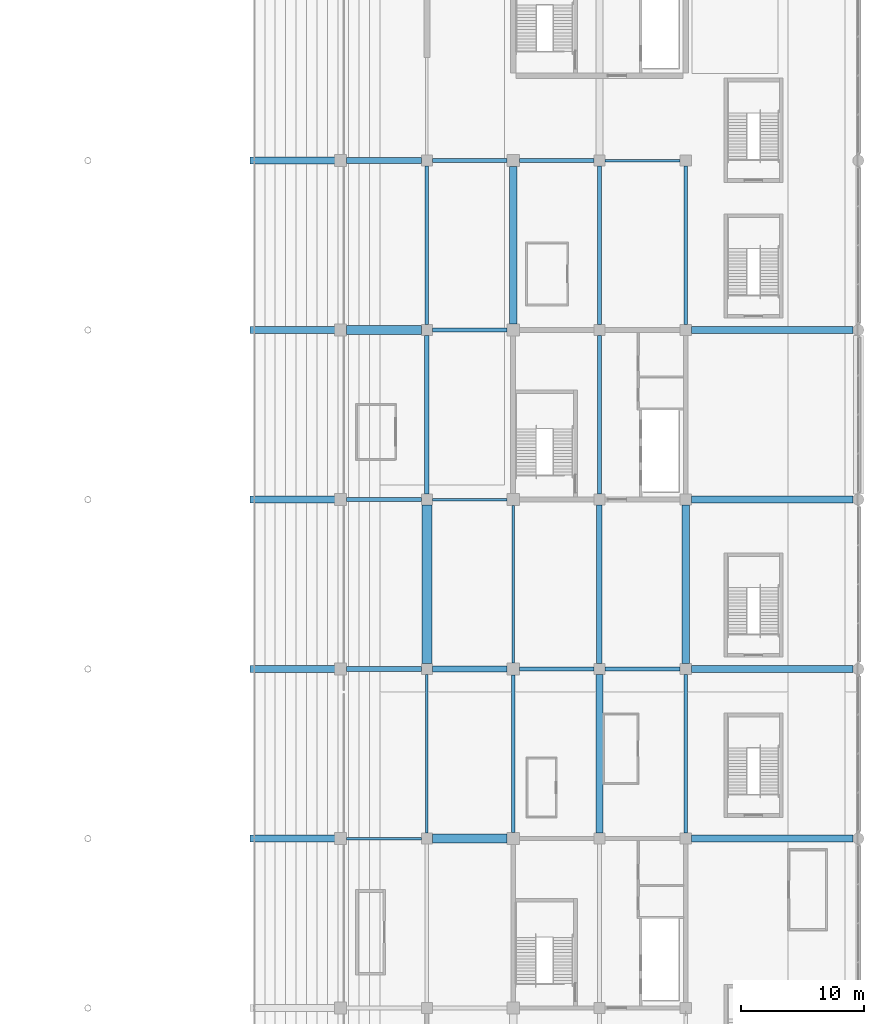
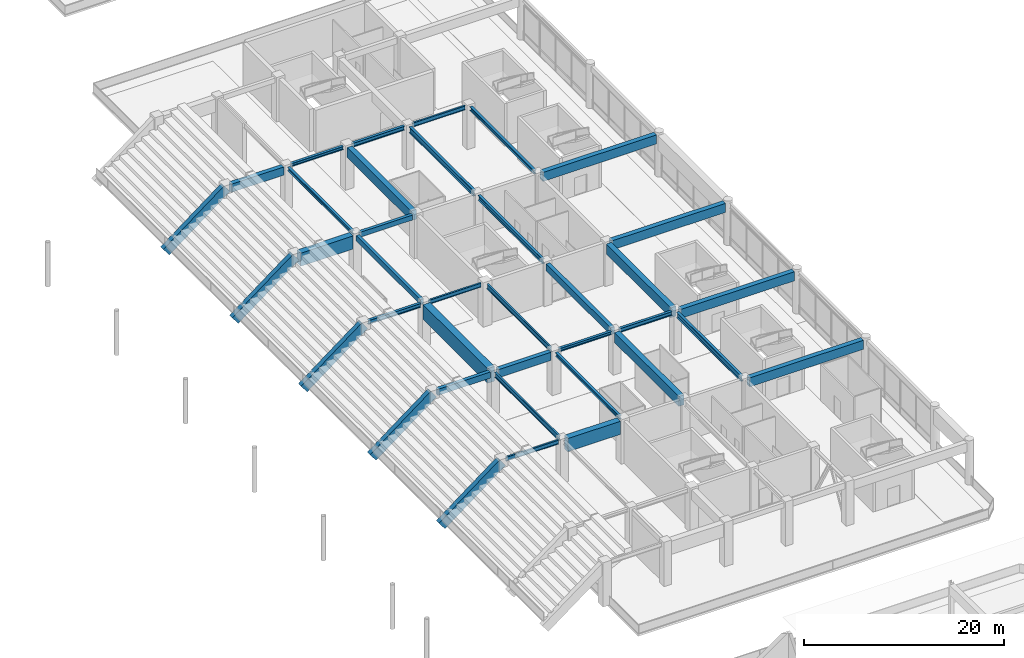
# One storey, part 57 of 117: 37 beams.
"""IFC4 building model written with IfcOpenShell, lengths in metres."""

from ifc_helpers import new_model, si_unit, direction, frame, origin, origin_2d, place, context, subcontext, project, spatial, rectangle, i_section, extrude, material, material_profile, profile_set, type_object, element, save


model = new_model("IFC4")

# Units and contexts
model_context = context("Model", 3, precision=1e-05, world=origin(), true_north=direction((0.0, 1.0)))
body_context = subcontext(model_context, "Body", "Model", "MODEL_VIEW")
ifc_project = project(units=[si_unit("LENGTHUNIT", "METRE"), si_unit("AREAUNIT", "SQUARE_METRE"), si_unit("VOLUMEUNIT", "CUBIC_METRE"), si_unit("PLANEANGLEUNIT", "RADIAN"), si_unit("MASSUNIT", "GRAM", prefix="KILO")], contexts=[model_context])

# Site, building, storey
site_placement = place(None, origin())
site = spatial("IfcSite", under=ifc_project, at=site_placement, CompositionType="ELEMENT")
building_placement = place(site_placement, origin())
building = spatial("IfcBuilding", under=site, at=building_placement, Name="Linyun Crest Stadium", CompositionType="ELEMENT")
storey_placement = place(building_placement, frame((0.0, 0.0, 6.0)))
storey = spatial("IfcBuildingStorey", under=building, at=storey_placement, Name="L02", CompositionType="ELEMENT", Elevation=6.0)

# Beams
ifc_material_1 = material(Name="Concrete C40", Category="concrete")
ifc_material_profile_1 = material_profile(ifc_material_1, rectangle(XDim=0.35009765625, YDim=0.60009765625, at=origin_2d()), Name="RCB 600x350")
ifc_profile_set_1 = profile_set([ifc_material_profile_1], Name="Concrete C40")
beam_type_1 = type_object("IfcBeamType", Name="B01", PredefinedType="BEAM", material=ifc_profile_set_1)
beam_1_placement = place(storey_placement, frame((63.449951171875, 15.875, 4.85009765625), z_axis=(1.0, 0.0, 0.0), x_axis=(0.0, 1.0, 0.0)))
element("IfcBeam", 1, at=beam_1_placement, inside=storey, type_object=beam_type_1, Name="Frame beam B01 L02 567", PredefinedType="BEAM", context=body_context, shape_type="SweptSolid", body=[
    extrude(rectangle(XDim=0.35009765625, YDim=0.60009765625, at=origin_2d()), origin(), (0.0, 0.0, 1.0), 6.050048828125),
])
ifc_material_2 = material(Name="Concrete C40", Category="concrete")
ifc_material_profile_2 = material_profile(ifc_material_2, rectangle(XDim=0.35009765625, YDim=0.64990234375, at=origin_2d()), Name="RCB 650x350")
ifc_profile_set_2 = profile_set([ifc_material_profile_2], Name="Concrete C40")
beam_type_2 = type_object("IfcBeamType", Name="B02", PredefinedType="BEAM", material=ifc_profile_set_2)
beam_2_placement = place(storey_placement, frame((63.0, 2.574951171875, 4.824951171875), z_axis=(0.0, 1.0, 0.0), x_axis=(-1.0, 0.0, 0.0)))
element("IfcBeam", 2, at=beam_2_placement, inside=storey, type_object=beam_type_2, Name="Frame beam B02 L02 581", PredefinedType="BEAM", context=body_context, shape_type="SweptSolid", body=[
    extrude(rectangle(XDim=0.35009765625, YDim=0.64990234375, at=origin_2d()), origin(), (0.0, 0.0, 1.0), 12.85009765625),
])
ifc_material_3 = material(Name="Concrete C40", Category="concrete")
ifc_material_profile_3 = material_profile(ifc_material_3, rectangle(XDim=0.39990234375, YDim=0.75, at=origin_2d()), Name="RCB 750x400")
ifc_profile_set_3 = profile_set([ifc_material_profile_3], Name="Concrete C40")
beam_type_3 = type_object("IfcBeamType", Name="B03", PredefinedType="BEAM", material=ifc_profile_set_3)
beam_3_placement = place(storey_placement, frame((56.5, -11.625, 4.77490234375), z_axis=(1.0, 0.0, 0.0), x_axis=(0.0, 1.0, 0.0)))
element("IfcBeam", 3, at=beam_3_placement, inside=storey, type_object=beam_type_3, Name="Frame beam B03 L02 558", PredefinedType="BEAM", context=body_context, shape_type="SweptSolid", body=[
    extrude(rectangle(XDim=0.39990234375, YDim=0.75, at=origin_2d()), origin(), (0.0, 0.0, 1.0), 6.050048828125),
])
ifc_material_4 = material(Name="Concrete C40", Category="concrete")
ifc_material_profile_4 = material_profile(ifc_material_4, rectangle(XDim=0.449951171875, YDim=0.85009765625, at=origin_2d()), Name="RCB 850x450")
ifc_profile_set_4 = profile_set([ifc_material_profile_4], Name="Concrete C40")
beam_type_4 = type_object("IfcBeamType", Name="B04", PredefinedType="BEAM", material=ifc_profile_set_4)
beam_4_placement = place(storey_placement, frame((77.0, -11.175048828125, 4.72509765625), z_axis=(0.0, 1.0, 0.0), x_axis=(-1.0, 0.0, 0.0)))
element("IfcBeam", 4, at=beam_4_placement, inside=storey, type_object=beam_type_4, Name="Frame beam B04 L02 591", PredefinedType="BEAM", context=body_context, shape_type="SweptSolid", body=[
    extrude(rectangle(XDim=0.449951171875, YDim=0.85009765625, at=origin_2d()), origin(), (0.0, 0.0, 1.0), 12.85009765625),
])
ifc_material_5 = material(Name="Concrete C40", Category="concrete")
ifc_material_profile_5 = material_profile(ifc_material_5, rectangle(XDim=0.5, YDim=1.0, at=origin_2d()), Name="RCB 1000x500")
ifc_profile_set_5 = profile_set([ifc_material_profile_5], Name="Concrete C40")
beam_type_5 = type_object("IfcBeamType", Name="B05", PredefinedType="BEAM", material=ifc_profile_set_5)
for number, where, z_axis, x_axis, name in (
    (5, (63.449951171875, -11.625, 4.64990234375), (1.0, 0.0, 0.0), (0.0, 1.0, 0.0), "Frame beam B05 L02 559"),
    (6, (56.5, 29.625, 4.64990234375), (1.0, 0.0, 0.0), (0.0, 1.0, 0.0), "Frame beam B05 L02 569"),
):
    element("IfcBeam", number, at=place(storey_placement, frame(where, z_axis=z_axis, x_axis=x_axis)), inside=storey, type_object=beam_type_5, Name=name, PredefinedType="BEAM", context=body_context, shape_type="SweptSolid", body=[
        extrude(rectangle(XDim=0.5, YDim=1.0, at=origin_2d()), origin(), (0.0, 0.0, 1.0), 6.050048828125),
    ])
ifc_material_6 = material(Name="Steel Q355C", Category="steel")
ifc_material_profile_6 = material_profile(ifc_material_6, i_section(OverallWidth=0.300048828125, OverallDepth=0.389892578125, WebThickness=0.010009765625, FlangeThickness=0.01611328125, at=origin_2d()), Name="HM 390x300")
ifc_profile_set_6 = profile_set([ifc_material_profile_6], Name="Steel Q355C")
beam_type_6 = type_object("IfcBeamType", Name="B06", PredefinedType="BEAM", material=ifc_profile_set_6)
for number, where, z_axis, x_axis, name in (
    (7, (70.5, -11.625, 4.955078125), (1.0, 0.0, 0.0), (0.0, 1.0, 0.0), "Frame beam B06 L02 560"),
    (8, (63.449951171875, 29.625, 4.955078125), (1.0, 0.0, 0.0), (0.0, 1.0, 0.0), "Frame beam B06 L02 570"),
):
    element("IfcBeam", number, at=place(storey_placement, frame(where, z_axis=z_axis, x_axis=x_axis)), inside=storey, type_object=beam_type_6, Name=name, PredefinedType="BEAM", context=body_context, shape_type="SweptSolid", body=[
        extrude(i_section(OverallWidth=0.300048828125, OverallDepth=0.389892578125, WebThickness=0.010009765625, FlangeThickness=0.01611328125, at=origin_2d()), origin(), (0.0, 0.0, 1.0), 6.050048828125),
    ])
ifc_material_7 = material(Name="Steel Q355C", Category="steel")
ifc_material_profile_7 = material_profile(ifc_material_7, i_section(OverallWidth=0.300048828125, OverallDepth=0.43994140625, WebThickness=0.010986328125, FlangeThickness=0.01806640625, at=origin_2d()), Name="HM 440x300")
ifc_profile_set_7 = profile_set([ifc_material_profile_7], Name="Steel Q355C")
beam_type_7 = type_object("IfcBeamType", Name="B07", PredefinedType="BEAM", material=ifc_profile_set_7)
beam_5_placement = place(storey_placement, frame((63.0, 16.324951171875, 4.929931640625), z_axis=(0.0, 1.0, 0.0), x_axis=(-1.0, 0.0, 0.0)))
element("IfcBeam", 9, at=beam_5_placement, inside=storey, type_object=beam_type_7, Name="Frame beam B07 L02 582", PredefinedType="BEAM", context=body_context, shape_type="SweptSolid", body=[
    extrude(i_section(OverallWidth=0.300048828125, OverallDepth=0.43994140625, WebThickness=0.010986328125, FlangeThickness=0.01806640625, at=origin_2d()), origin(), (0.0, 0.0, 1.0), 12.85009765625),
])
beam_6_placement = place(storey_placement, frame((70.0, -24.875, 4.929931640625), z_axis=(0.0, 1.0, 0.0), x_axis=(-1.0, 0.0, 0.0)))
element("IfcBeam", 10, at=beam_6_placement, inside=storey, type_object=beam_type_7, Name="Frame beam B07 L02 585", PredefinedType="BEAM", context=body_context, shape_type="SweptSolid", body=[
    extrude(i_section(OverallWidth=0.300048828125, OverallDepth=0.43994140625, WebThickness=0.010986328125, FlangeThickness=0.01806640625, at=origin_2d()), origin(), (0.0, 0.0, 1.0), 12.75),
])
beam_7_placement = place(storey_placement, frame((84.0, 16.324951171875, 4.929931640625), z_axis=(0.0, 1.0, 0.0), x_axis=(-1.0, 0.0, 0.0)))
element("IfcBeam", 11, at=beam_7_placement, inside=storey, type_object=beam_type_7, Name="Frame beam B07 L02 598", PredefinedType="BEAM", context=body_context, shape_type="SweptSolid", body=[
    extrude(i_section(OverallWidth=0.300048828125, OverallDepth=0.43994140625, WebThickness=0.010986328125, FlangeThickness=0.01806640625, at=origin_2d()), origin(), (0.0, 0.0, 1.0), 12.85009765625),
])
ifc_material_8 = material(Name="Steel Q355C", Category="steel")
ifc_material_profile_8 = material_profile(ifc_material_8, i_section(OverallWidth=0.300048828125, OverallDepth=0.488037109375, WebThickness=0.010986328125, FlangeThickness=0.01806640625, at=origin_2d()), Name="HM 488x300")
ifc_profile_set_8 = profile_set([ifc_material_profile_8], Name="Steel Q355C")
beam_type_8 = type_object("IfcBeamType", Name="B08", PredefinedType="BEAM", material=ifc_profile_set_8)
beam_8_placement = place(storey_placement, frame((77.449951171875, -11.625, 4.906005859375), z_axis=(1.0, 0.0, 0.0), x_axis=(0.0, 1.0, 0.0)))
element("IfcBeam", 12, at=beam_8_placement, inside=storey, type_object=beam_type_8, Name="Frame beam B08 L02 561", PredefinedType="BEAM", context=body_context, shape_type="SweptSolid", body=[
    extrude(i_section(OverallWidth=0.300048828125, OverallDepth=0.488037109375, WebThickness=0.010986328125, FlangeThickness=0.01806640625, at=origin_2d()), origin(), (0.0, 0.0, 1.0), 6.10009765625),
])
for number, where, z_axis, x_axis, name in (
    (13, (56.5, 2.125, 4.906005859375), (1.0, 0.0, 0.0), (0.0, 1.0, 0.0), "Frame beam B08 L02 563"),
    (14, (70.5, 29.625, 4.906005859375), (1.0, 0.0, 0.0), (0.0, 1.0, 0.0), "Frame beam B08 L02 571"),
):
    element("IfcBeam", number, at=place(storey_placement, frame(where, z_axis=z_axis, x_axis=x_axis)), inside=storey, type_object=beam_type_8, Name=name, PredefinedType="BEAM", context=body_context, shape_type="SweptSolid", body=[
        extrude(i_section(OverallWidth=0.300048828125, OverallDepth=0.488037109375, WebThickness=0.010986328125, FlangeThickness=0.01806640625, at=origin_2d()), origin(), (0.0, 0.0, 1.0), 6.050048828125),
    ])
ifc_material_9 = material(Name="Steel Q355C", Category="steel")
ifc_material_profile_9 = material_profile(ifc_material_9, i_section(OverallWidth=0.300048828125, OverallDepth=0.587890625, WebThickness=0.011962890625, FlangeThickness=0.02001953125, at=origin_2d()), Name="HM 588x300")
ifc_profile_set_9 = profile_set([ifc_material_profile_9], Name="Steel Q355C")
beam_type_9 = type_object("IfcBeamType", Name="B09", PredefinedType="BEAM", material=ifc_profile_set_9)
beam_9_placement = place(storey_placement, frame((77.0, 2.574951171875, 4.85595703125), z_axis=(0.0, 1.0, 0.0), x_axis=(-1.0, 0.0, 0.0)))
element("IfcBeam", 15, at=beam_9_placement, inside=storey, type_object=beam_type_9, Name="Frame beam B09 L02 592", PredefinedType="BEAM", context=body_context, shape_type="SweptSolid", body=[
    extrude(i_section(OverallWidth=0.300048828125, OverallDepth=0.587890625, WebThickness=0.011962890625, FlangeThickness=0.02001953125, at=origin_2d()), origin(), (0.0, 0.0, 1.0), 12.85009765625),
])
ifc_material_10 = material(Name="Steel Q355C", Category="steel")
ifc_material_profile_10 = material_profile(ifc_material_10, i_section(OverallWidth=0.199951171875, OverallDepth=0.5, WebThickness=0.010009765625, FlangeThickness=0.01611328125, at=origin_2d()), Name="HN 500x200")
ifc_profile_set_10 = profile_set([ifc_material_profile_10], Name="Steel Q355C")
beam_type_10 = type_object("IfcBeamType", Name="B10", PredefinedType="BEAM", material=ifc_profile_set_10)
for number, where, z_axis, x_axis, name in (
    (16, (56.5, -25.375, 4.89990234375), (1.0, 0.0, 0.0), (0.0, 1.0, 0.0), "Frame beam B10 L02 555"),
    (17, (63.449951171875, 2.125, 4.89990234375), (1.0, 0.0, 0.0), (0.0, 1.0, 0.0), "Frame beam B10 L02 564"),
):
    element("IfcBeam", number, at=place(storey_placement, frame(where, z_axis=z_axis, x_axis=x_axis)), inside=storey, type_object=beam_type_10, Name=name, PredefinedType="BEAM", context=body_context, shape_type="SweptSolid", body=[
        extrude(i_section(OverallWidth=0.199951171875, OverallDepth=0.5, WebThickness=0.010009765625, FlangeThickness=0.01611328125, at=origin_2d()), origin(), (0.0, 0.0, 1.0), 6.050048828125),
    ])
beam_10_placement = place(storey_placement, frame((77.449951171875, 29.625, 4.89990234375), z_axis=(1.0, 0.0, 0.0), x_axis=(0.0, 1.0, 0.0)))
element("IfcBeam", 18, at=beam_10_placement, inside=storey, type_object=beam_type_10, Name="Frame beam B10 L02 572", PredefinedType="BEAM", context=body_context, shape_type="SweptSolid", body=[
    extrude(i_section(OverallWidth=0.199951171875, OverallDepth=0.5, WebThickness=0.010009765625, FlangeThickness=0.01611328125, at=origin_2d()), origin(), (0.0, 0.0, 1.0), 6.10009765625),
])
ifc_material_11 = material(Name="Steel Q355C", Category="steel")
ifc_material_profile_11 = material_profile(ifc_material_11, i_section(OverallWidth=0.199951171875, OverallDepth=0.60009765625, WebThickness=0.010986328125, FlangeThickness=0.01708984375, at=origin_2d()), Name="HN 600x200")
ifc_profile_set_11 = profile_set([ifc_material_profile_11], Name="Steel Q355C")
beam_type_11 = type_object("IfcBeamType", Name="B11", PredefinedType="BEAM", material=ifc_profile_set_11)
beam_11_placement = place(storey_placement, frame((63.0, -24.925048828125, 4.85009765625), z_axis=(0.0, 1.0, 0.0), x_axis=(-1.0, 0.0, 0.0)))
element("IfcBeam", 19, at=beam_11_placement, inside=storey, type_object=beam_type_11, Name="Frame beam B11 L02 579", PredefinedType="BEAM", context=body_context, shape_type="SweptSolid", body=[
    extrude(i_section(OverallWidth=0.199951171875, OverallDepth=0.60009765625, WebThickness=0.010986328125, FlangeThickness=0.01708984375, at=origin_2d()), origin(), (0.0, 0.0, 1.0), 12.85009765625),
])
beam_12_placement = place(storey_placement, frame((70.0, -11.125, 4.85009765625), z_axis=(0.0, 1.0, 0.0), x_axis=(-1.0, 0.0, 0.0)))
element("IfcBeam", 20, at=beam_12_placement, inside=storey, type_object=beam_type_11, Name="Frame beam B11 L02 586", PredefinedType="BEAM", context=body_context, shape_type="SweptSolid", body=[
    extrude(i_section(OverallWidth=0.199951171875, OverallDepth=0.60009765625, WebThickness=0.010986328125, FlangeThickness=0.01708984375, at=origin_2d()), origin(), (0.0, 0.0, 1.0), 12.75),
])
ifc_material_12 = material(Name="Steel Q355C", Category="steel")
ifc_material_profile_12 = material_profile(ifc_material_12, i_section(OverallWidth=0.300048828125, OverallDepth=0.699951171875, WebThickness=0.012939453125, FlangeThickness=0.02392578125, at=origin_2d()), Name="HN 700x300")
ifc_profile_set_12 = profile_set([ifc_material_profile_12], Name="Steel Q355C")
beam_type_12 = type_object("IfcBeamType", Name="B12", PredefinedType="BEAM", material=ifc_profile_set_12)
for number, where, z_axis, x_axis, name in (
    (21, (77.0, 16.324951171875, 4.800048828125), (0.0, 1.0, 0.0), (-1.0, 0.0, 0.0), "Frame beam B12 L02 593"),
    (22, (84.0, -24.925048828125, 4.800048828125), (0.0, 1.0, 0.0), (-1.0, 0.0, 0.0), "Frame beam B12 L02 596"),
):
    element("IfcBeam", number, at=place(storey_placement, frame(where, z_axis=z_axis, x_axis=x_axis)), inside=storey, type_object=beam_type_12, Name=name, PredefinedType="BEAM", context=body_context, shape_type="SweptSolid", body=[
        extrude(i_section(OverallWidth=0.300048828125, OverallDepth=0.699951171875, WebThickness=0.012939453125, FlangeThickness=0.02392578125, at=origin_2d()), origin(), (0.0, 0.0, 1.0), 12.85009765625),
    ])
ifc_material_13 = material(Name="Concrete C50", Category="concrete")
ifc_material_profile_13 = material_profile(ifc_material_13, rectangle(XDim=0.699951171875, YDim=1.60009765625, at=origin_2d()), Name="RCB 1600x700")
ifc_profile_set_13 = profile_set([ifc_material_profile_13], Name="Concrete C50")
beam_type_13 = type_object("IfcBeamType", Name="B13", PredefinedType="BEAM", material=ifc_profile_set_13)
for number, where, z_axis, x_axis, name in (
    (23, (63.449951171875, -25.375, 4.35009765625), (1.0, 0.0, 0.0), (0.0, 1.0, 0.0), "Frame beam B13 L02 556"),
    (24, (56.5, 15.875, 4.35009765625), (1.0, 0.0, 0.0), (0.0, 1.0, 0.0), "Frame beam B13 L02 566"),
):
    element("IfcBeam", number, at=place(storey_placement, frame(where, z_axis=z_axis, x_axis=x_axis)), inside=storey, type_object=beam_type_13, Name=name, PredefinedType="BEAM", context=body_context, shape_type="SweptSolid", body=[
        extrude(rectangle(XDim=0.699951171875, YDim=1.60009765625, at=origin_2d()), origin(), (0.0, 0.0, 1.0), 6.050048828125),
    ])
ifc_material_14 = material(Name="Concrete C50", Category="concrete")
ifc_material_profile_14 = material_profile(ifc_material_14, rectangle(XDim=0.800048828125, YDim=1.800048828125, at=origin_2d()), Name="RCB 1800x800")
ifc_profile_set_14 = profile_set([ifc_material_profile_14], Name="Concrete C50")
beam_type_14 = type_object("IfcBeamType", Name="B14", PredefinedType="BEAM", material=ifc_profile_set_14)
beam_13_placement = place(storey_placement, frame((63.0, -11.175048828125, 4.25), z_axis=(0.0, 1.0, 0.0), x_axis=(-1.0, 0.0, 0.0)))
element("IfcBeam", 25, at=beam_13_placement, inside=storey, type_object=beam_type_14, Name="Frame beam B14 L02 580", PredefinedType="BEAM", context=body_context, shape_type="SweptSolid", body=[
    extrude(rectangle(XDim=0.800048828125, YDim=1.800048828125, at=origin_2d()), origin(), (0.0, 0.0, 1.0), 12.85009765625),
])
ifc_material_15 = material(Name="Precast concrete C50", Category="concrete")
ifc_material_profile_15 = material_profile(ifc_material_15, rectangle(XDim=0.550048828125, YDim=1.14990234375, at=origin_2d()), Name="PCR 1150x550")
ifc_profile_set_15 = profile_set([ifc_material_profile_15], Name="Precast concrete C50")
beam_type_15 = type_object("IfcBeamType", Name="RB02", PredefinedType="USERDEFINED", material=ifc_profile_set_15)
for number, where, z_axis, x_axis, name in (
    (26, (49.0, -25.375, -0.47998046875), (0.798353067066, 0.0, 0.602189654765), (0.0, 1.0, 0.0), "Precast raker beam RB02 V2 22"),
    (27, (49.0, -11.625, -0.47998046875), (0.798353067066, 0.0, 0.602189654765), (0.0, 1.0, 0.0), "Precast raker beam RB02 V2 30"),
    (28, (49.0, 2.125, -0.47998046875), (0.798353067066, 0.0, 0.602189654765), (0.0, 1.0, 0.0), "Precast raker beam RB02 V2 38"),
    (29, (49.0, 15.875, -0.47998046875), (0.798353067066, 0.0, 0.602189654765), (0.0, 1.0, 0.0), "Precast raker beam RB02 V2 46"),
    (30, (49.0, 29.625, -0.47998046875), (0.798353067066, 0.0, 0.602189654765), (0.0, 1.0, 0.0), "Precast raker beam RB02 V2 54"),
):
    element("IfcBeam", number, at=place(storey_placement, frame(where, z_axis=z_axis, x_axis=x_axis)), inside=storey, type_object=beam_type_15, Name=name, ObjectType="RAKER", PredefinedType="USERDEFINED", context=body_context, shape_type="SweptSolid", body=[
        extrude(rectangle(XDim=0.550048828125, YDim=1.14990234375, at=origin_2d()), origin(), (0.0, 0.0, 1.0), 8.76806640625),
    ])
ifc_material_16 = material(Name="Concrete C50", Category="concrete")
ifc_material_profile_16 = material_profile(ifc_material_16, rectangle(XDim=0.550048828125, YDim=1.10009765625, at=origin_2d()), Name="RCB 1100x550")
ifc_profile_set_16 = profile_set([ifc_material_profile_16], Name="Concrete C50")
beam_type_16 = type_object("IfcBeamType", Name="TB01", PredefinedType="USERDEFINED", material=ifc_profile_set_16)
for number, where, z_axis, x_axis, name in (
    (31, (84.449951171875, -25.375, 4.60009765625), (1.0, 0.0, 0.0), (0.0, 1.0, 0.0), "Frame beam TB01 L02 557"),
    (32, (84.449951171875, -11.625, 4.60009765625), (1.0, 0.0, 0.0), (0.0, 1.0, 0.0), "Frame beam TB01 L02 562"),
    (33, (84.449951171875, 2.125, 4.60009765625), (1.0, 0.0, 0.0), (0.0, 1.0, 0.0), "Frame beam TB01 L02 565"),
    (34, (84.449951171875, 15.875, 4.60009765625), (1.0, 0.0, 0.0), (0.0, 1.0, 0.0), "Frame beam TB01 L02 568"),
):
    element("IfcBeam", number, at=place(storey_placement, frame(where, z_axis=z_axis, x_axis=x_axis)), inside=storey, type_object=beam_type_16, Name=name, ObjectType="GIRDER", PredefinedType="USERDEFINED", context=body_context, shape_type="SweptSolid", body=[
        extrude(rectangle(XDim=0.550048828125, YDim=1.10009765625, at=origin_2d()), origin(), (0.0, 0.0, 1.0), 13.10009765625),
    ])
ifc_material_17 = material(Name="Concrete C50", Category="concrete")
ifc_material_profile_17 = material_profile(ifc_material_17, rectangle(XDim=0.60009765625, YDim=1.199951171875, at=origin_2d()), Name="RCB 1200x600")
ifc_profile_set_17 = profile_set([ifc_material_profile_17], Name="Concrete C50")
beam_type_17 = type_object("IfcBeamType", Name="TB02", PredefinedType="USERDEFINED", material=ifc_profile_set_17)
beam_14_placement = place(storey_placement, frame((70.0, 16.375, 4.550048828125), z_axis=(0.0, 1.0, 0.0), x_axis=(-1.0, 0.0, 0.0)))
element("IfcBeam", 35, at=beam_14_placement, inside=storey, type_object=beam_type_17, Name="Frame beam TB02 L02 587", ObjectType="GIRDER", PredefinedType="USERDEFINED", context=body_context, shape_type="SweptSolid", body=[
    extrude(rectangle(XDim=0.60009765625, YDim=1.199951171875, at=origin_2d()), origin(), (0.0, 0.0, 1.0), 12.75),
])
for number, where, z_axis, x_axis, name in (
    (36, (77.0, -24.925048828125, 4.550048828125), (0.0, 1.0, 0.0), (-1.0, 0.0, 0.0), "Frame beam TB02 L02 590"),
    (37, (84.0, -11.175048828125, 4.550048828125), (0.0, 1.0, 0.0), (-1.0, 0.0, 0.0), "Frame beam TB02 L02 597"),
):
    element("IfcBeam", number, at=place(storey_placement, frame(where, z_axis=z_axis, x_axis=x_axis)), inside=storey, type_object=beam_type_17, Name=name, ObjectType="GIRDER", PredefinedType="USERDEFINED", context=body_context, shape_type="SweptSolid", body=[
        extrude(rectangle(XDim=0.60009765625, YDim=1.199951171875, at=origin_2d()), origin(), (0.0, 0.0, 1.0), 12.85009765625),
    ])

save(model, "model.ifc")
